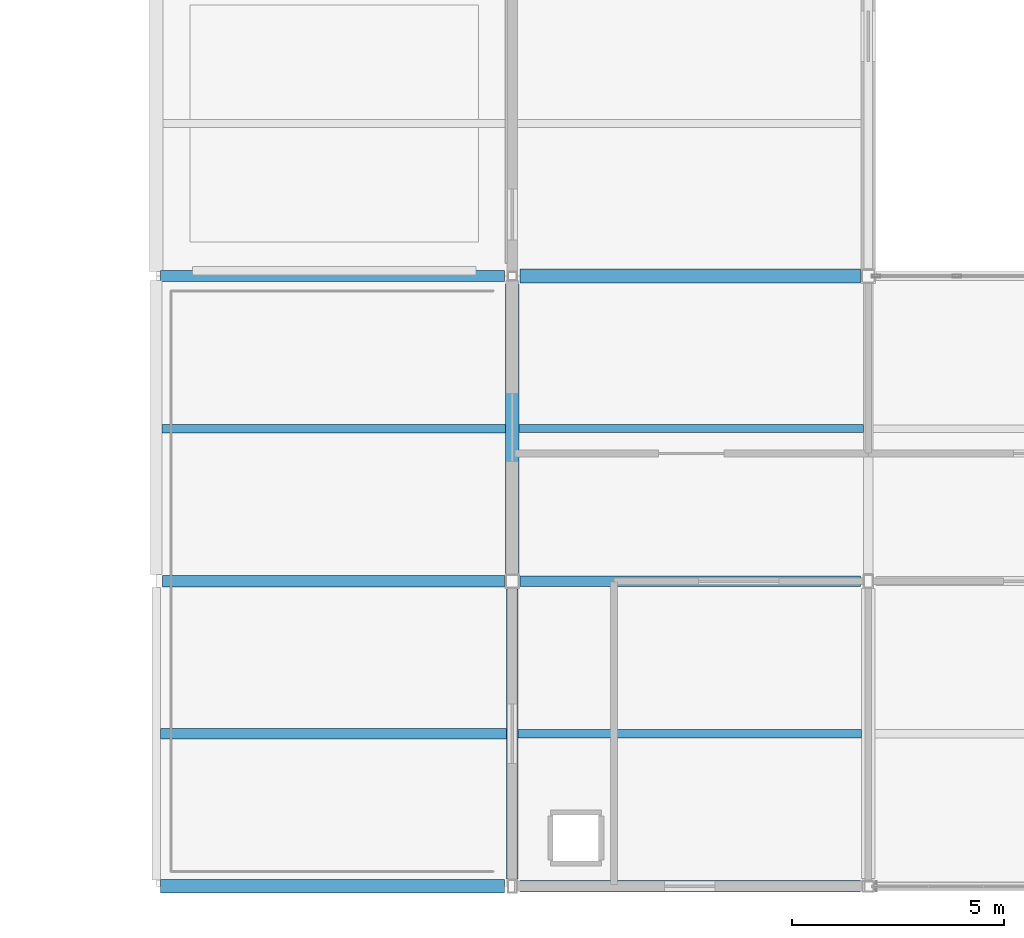
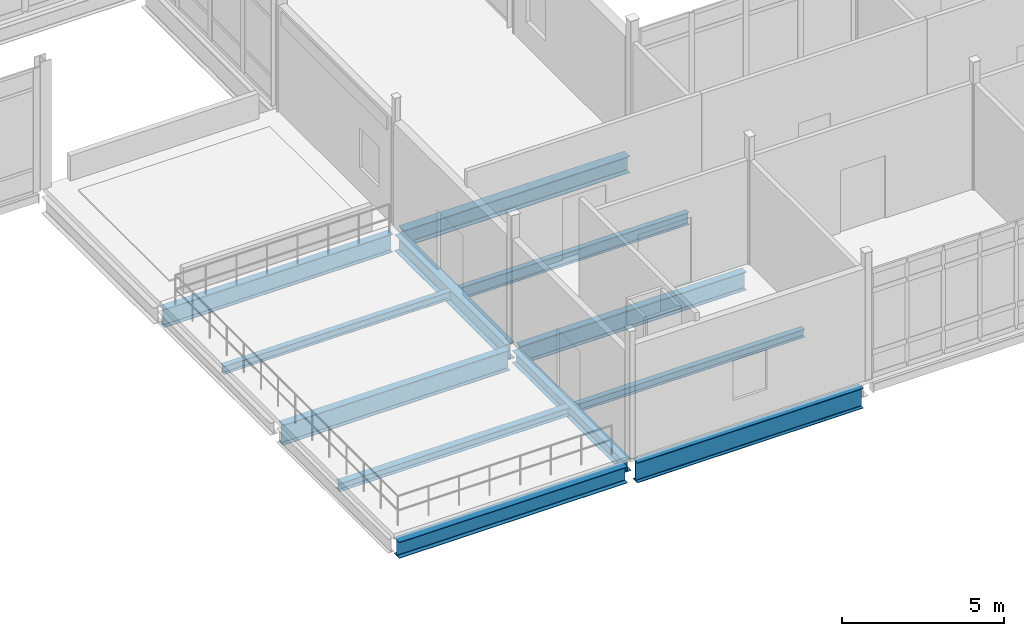
# One storey, part 45 of 186: 12 beams.
"""IFC4 building model written with IfcOpenShell, lengths in metres."""

from ifc_helpers import new_model, si_unit, direction, frame, origin, origin_2d, place, context, subcontext, project, spatial, i_section, extrude, material, material_profile, profile_set, type_object, element, save


model = new_model("IFC4")

# Units and contexts
model_context = context("Model", 3, precision=1e-05, world=origin(), true_north=direction((0.0, 1.0)))
body_context = subcontext(model_context, "Body", "Model", "MODEL_VIEW")
ifc_project = project(units=[si_unit("LENGTHUNIT", "METRE"), si_unit("AREAUNIT", "SQUARE_METRE"), si_unit("VOLUMEUNIT", "CUBIC_METRE"), si_unit("PLANEANGLEUNIT", "RADIAN"), si_unit("MASSUNIT", "GRAM", prefix="KILO")], contexts=[model_context])

# Site, building, storey
site_placement = place(None, origin())
site = spatial("IfcSite", under=ifc_project, at=site_placement, CompositionType="ELEMENT")
building_placement = place(site_placement, origin())
building = spatial("IfcBuilding", under=site, at=building_placement, Name="Calvrana Isthmian Art Gallery", CompositionType="ELEMENT")
storey_placement = place(building_placement, frame((0.0, 0.0, 5.39990234375)))
storey = spatial("IfcBuildingStorey", under=building, at=storey_placement, Name="L01", CompositionType="ELEMENT", Elevation=5.39990234375)

# Beams
ifc_material = material(Name="Steel ASTM A992 Gr 50", Category="steel")
ifc_material_profile_1 = material_profile(ifc_material, i_section(OverallWidth=0.279052734375, OverallDepth=0.4619140625, WebThickness=0.0107421875, FlangeThickness=0.017333984375, FilletRadius=0.02001953125, at=origin_2d()), Name="W18X76")
ifc_profile_set_1 = profile_set([ifc_material_profile_1], Name="Steel ASTM A992 Gr 50")
beam_type_1 = type_object("IfcBeamType", Name="BM-G-W18X76", PredefinedType="BEAM", material=ifc_profile_set_1)
beam_1_placement = place(storey_placement, frame((72.0, 0.177978515625, -0.475830078125), z_axis=(0.0, 1.0, 0.0), x_axis=(-1.0, 0.0, 0.0)))
element("IfcBeam", 1, at=beam_1_placement, inside=storey, type_object=beam_type_1, Name="Girder Y L01 10/A-B", PredefinedType="BEAM", context=body_context, shape_type="SweptSolid", body=[
    extrude(i_section(OverallWidth=0.279052734375, OverallDepth=0.4619140625, WebThickness=0.0107421875, FlangeThickness=0.017333984375, FilletRadius=0.02001953125, at=origin_2d()), origin(), (0.0, 0.0, 1.0), 6.840576171875),
])
ifc_material_profile_2 = material_profile(ifc_material, i_section(OverallWidth=0.324951171875, OverallDepth=0.612060546875, WebThickness=0.0126953125, FlangeThickness=0.01904296875, FilletRadius=0.02197265625, at=origin_2d()), Name="W24X104")
ifc_profile_set_2 = profile_set([ifc_material_profile_2], Name="Steel ASTM A992 Gr 50")
beam_type_2 = type_object("IfcBeamType", Name="BM-G-W24X104", PredefinedType="BEAM", material=ifc_profile_set_2)
beam_2_placement = place(storey_placement, frame((63.70166015625, 0.0, -0.55078125), z_axis=(1.0, 0.0, 0.0), x_axis=(0.0, 1.0, 0.0)))
element("IfcBeam", 2, at=beam_2_placement, inside=storey, type_object=beam_type_2, Name="Girder X L01 09-10/A", PredefinedType="BEAM", context=body_context, shape_type="SweptSolid", body=[
    extrude(i_section(OverallWidth=0.324951171875, OverallDepth=0.612060546875, WebThickness=0.0126953125, FlangeThickness=0.01904296875, FilletRadius=0.02197265625, at=origin_2d()), origin(), (0.0, 0.0, 1.0), 8.1142578125),
])
beam_3_placement = place(storey_placement, frame((72.0, 7.381591796875, -0.55078125), z_axis=(0.0, 1.0, 0.0), x_axis=(-1.0, 0.0, 0.0)))
element("IfcBeam", 3, at=beam_3_placement, inside=storey, type_object=beam_type_2, Name="Girder Y L01 10/B-C", PredefinedType="BEAM", context=body_context, shape_type="SweptSolid", body=[
    extrude(i_section(OverallWidth=0.324951171875, OverallDepth=0.612060546875, WebThickness=0.0126953125, FlangeThickness=0.01904296875, FilletRadius=0.02197265625, at=origin_2d()), origin(), (0.0, 0.0, 1.0), 6.83447265625),
])
ifc_material_profile_3 = material_profile(ifc_material, i_section(OverallWidth=0.327880859375, OverallDepth=0.6220703125, WebThickness=0.015380859375, FlangeThickness=0.0244140625, FilletRadius=0.02197265625, at=origin_2d()), Name="W24X131")
ifc_profile_set_3 = profile_set([ifc_material_profile_3], Name="Steel ASTM A992 Gr 50")
beam_type_3 = type_object("IfcBeamType", Name="BM-G-W24X131", PredefinedType="BEAM", material=ifc_profile_set_3)
beam_4_placement = place(storey_placement, frame((72.1865234375, 14.39990234375, -0.555908203125), z_axis=(1.0, 0.0, 0.0), x_axis=(0.0, 1.0, 0.0)))
element("IfcBeam", 4, at=beam_4_placement, inside=storey, type_object=beam_type_3, Name="Girder X L01 10-11/C", PredefinedType="BEAM", context=body_context, shape_type="SweptSolid", body=[
    extrude(i_section(OverallWidth=0.327880859375, OverallDepth=0.6220703125, WebThickness=0.015380859375, FlangeThickness=0.0244140625, FilletRadius=0.02197265625, at=origin_2d()), origin(), (0.0, 0.0, 1.0), 8.028076171875),
])
ifc_material_profile_4 = material_profile(ifc_material, i_section(OverallWidth=0.257080078125, OverallDepth=0.693115234375, WebThickness=0.014404296875, FlangeThickness=0.023681640625, FilletRadius=0.02392578125, at=origin_2d()), Name="W27X114")
ifc_profile_set_4 = profile_set([ifc_material_profile_4], Name="Steel ASTM A992 Gr 50")
beam_type_4 = type_object("IfcBeamType", Name="BM-G-W27X114", PredefinedType="BEAM", material=ifc_profile_set_4)
beam_5_placement = place(storey_placement, frame((72.185546875, 7.199951171875, -0.59130859375), z_axis=(1.0, 0.0, 0.0), x_axis=(0.0, 1.0, 0.0)))
element("IfcBeam", 5, at=beam_5_placement, inside=storey, type_object=beam_type_4, Name="Girder X L01 10-11/B", PredefinedType="BEAM", context=body_context, shape_type="SweptSolid", body=[
    extrude(i_section(OverallWidth=0.257080078125, OverallDepth=0.693115234375, WebThickness=0.014404296875, FlangeThickness=0.023681640625, FilletRadius=0.02392578125, at=origin_2d()), origin(), (0.0, 0.0, 1.0), 8.030517578125),
])
beam_6_placement = place(storey_placement, frame((63.70166015625, 14.39990234375, -0.59130859375), z_axis=(1.0, 0.0, 0.0), x_axis=(0.0, 1.0, 0.0)))
element("IfcBeam", 6, at=beam_6_placement, inside=storey, type_object=beam_type_4, Name="Girder X L01 09-10/C", PredefinedType="BEAM", context=body_context, shape_type="SweptSolid", body=[
    extrude(i_section(OverallWidth=0.257080078125, OverallDepth=0.693115234375, WebThickness=0.014404296875, FlangeThickness=0.023681640625, FilletRadius=0.02392578125, at=origin_2d()), origin(), (0.0, 0.0, 1.0), 8.11181640625),
])
ifc_material_profile_5 = material_profile(ifc_material, i_section(OverallWidth=0.26708984375, OverallDepth=0.761962890625, WebThickness=0.014404296875, FlangeThickness=0.021484375, FilletRadius=0.02490234375, at=origin_2d()), Name="W30X116")
ifc_profile_set_5 = profile_set([ifc_material_profile_5], Name="Steel ASTM A992 Gr 50")
beam_type_5 = type_object("IfcBeamType", Name="BM-G-W30X116", PredefinedType="BEAM", material=ifc_profile_set_5)
beam_7_placement = place(storey_placement, frame((72.18408203125, 0.0, -0.6259765625), z_axis=(1.0, 0.0, 0.0), x_axis=(0.0, 1.0, 0.0)))
element("IfcBeam", 7, at=beam_7_placement, inside=storey, type_object=beam_type_5, Name="Girder X L01 10-11/A", PredefinedType="BEAM", context=body_context, shape_type="SweptSolid", body=[
    extrude(i_section(OverallWidth=0.26708984375, OverallDepth=0.761962890625, WebThickness=0.014404296875, FlangeThickness=0.021484375, FilletRadius=0.02490234375, at=origin_2d()), origin(), (0.0, 0.0, 1.0), 8.029296875),
])
beam_8_placement = place(storey_placement, frame((63.75244140625, 7.199951171875, -0.6259765625), z_axis=(1.0, 0.0, 0.0), x_axis=(0.0, 1.0, 0.0)))
element("IfcBeam", 8, at=beam_8_placement, inside=storey, type_object=beam_type_5, Name="Girder X L01 09-10/B", PredefinedType="BEAM", context=body_context, shape_type="SweptSolid", body=[
    extrude(i_section(OverallWidth=0.26708984375, OverallDepth=0.761962890625, WebThickness=0.014404296875, FlangeThickness=0.021484375, FilletRadius=0.02490234375, at=origin_2d()), origin(), (0.0, 0.0, 1.0), 8.06201171875),
])
ifc_material_profile_6 = material_profile(ifc_material, i_section(OverallWidth=0.202880859375, OverallDepth=0.302001953125, WebThickness=0.007568359375, FlangeThickness=0.01318359375, FilletRadius=0.01611328125, at=origin_2d()), Name="W12X40")
ifc_profile_set_6 = profile_set([ifc_material_profile_6], Name="Steel ASTM A992 Gr 50")
beam_type_6 = type_object("IfcBeamType", Name="BM-J-W12X40", PredefinedType="JOIST", material=ifc_profile_set_6)
beam_9_placement = place(storey_placement, frame((63.739501953125, 10.800048828125, -0.39599609375), z_axis=(1.0, 0.0, 0.0), x_axis=(0.0, 1.0, 0.0)))
element("IfcBeam", 9, at=beam_9_placement, inside=storey, type_object=beam_type_6, Name="Composite joist L01 bay 08-01", PredefinedType="JOIST", context=body_context, shape_type="SweptSolid", body=[
    extrude(i_section(OverallWidth=0.202880859375, OverallDepth=0.302001953125, WebThickness=0.007568359375, FlangeThickness=0.01318359375, FilletRadius=0.01611328125, at=origin_2d()), origin(), (0.0, 0.0, 1.0), 8.097900390625),
])
beam_10_placement = place(storey_placement, frame((72.139404296875, 3.60009765625, -0.39599609375), z_axis=(1.0, 0.0, 0.0), x_axis=(0.0, 1.0, 0.0)))
element("IfcBeam", 10, at=beam_10_placement, inside=storey, type_object=beam_type_6, Name="Composite joist L01 bay 09-00", PredefinedType="JOIST", context=body_context, shape_type="SweptSolid", body=[
    extrude(i_section(OverallWidth=0.202880859375, OverallDepth=0.302001953125, WebThickness=0.007568359375, FlangeThickness=0.01318359375, FilletRadius=0.01611328125, at=origin_2d()), origin(), (0.0, 0.0, 1.0), 8.09814453125),
])
ifc_material_profile_7 = material_profile(ifc_material, i_section(OverallWidth=0.25390625, OverallDepth=0.306884765625, WebThickness=0.0087890625, FlangeThickness=0.0146484375, FilletRadius=0.01611328125, at=origin_2d()), Name="W12X53")
ifc_profile_set_7 = profile_set([ifc_material_profile_7], Name="Steel ASTM A992 Gr 50")
beam_type_7 = type_object("IfcBeamType", Name="BM-J-W12X53", PredefinedType="JOIST", material=ifc_profile_set_7)
beam_11_placement = place(storey_placement, frame((63.70458984375, 3.60009765625, -0.3984375), z_axis=(1.0, 0.0, 0.0), x_axis=(0.0, 1.0, 0.0)))
element("IfcBeam", 11, at=beam_11_placement, inside=storey, type_object=beam_type_7, Name="Composite joist L01 bay 08-00", PredefinedType="JOIST", context=body_context, shape_type="SweptSolid", body=[
    extrude(i_section(OverallWidth=0.25390625, OverallDepth=0.306884765625, WebThickness=0.0087890625, FlangeThickness=0.0146484375, FilletRadius=0.01611328125, at=origin_2d()), origin(), (0.0, 0.0, 1.0), 8.156005859375),
])
ifc_material_profile_8 = material_profile(ifc_material, i_section(OverallWidth=0.19091796875, OverallDepth=0.45703125, WebThickness=0.009033203125, FlangeThickness=0.014404296875, FilletRadius=0.02001953125, at=origin_2d()), Name="W18X50")
ifc_profile_set_8 = profile_set([ifc_material_profile_8], Name="Steel ASTM A992 Gr 50")
beam_type_8 = type_object("IfcBeamType", Name="BM-J-W18X50", PredefinedType="JOIST", material=ifc_profile_set_8)
beam_12_placement = place(storey_placement, frame((72.16259765625, 10.800048828125, -0.473388671875), z_axis=(1.0, 0.0, 0.0), x_axis=(0.0, 1.0, 0.0)))
element("IfcBeam", 12, at=beam_12_placement, inside=storey, type_object=beam_type_8, Name="Composite joist L01 bay 09-01", PredefinedType="JOIST", context=body_context, shape_type="SweptSolid", body=[
    extrude(i_section(OverallWidth=0.19091796875, OverallDepth=0.45703125, WebThickness=0.009033203125, FlangeThickness=0.014404296875, FilletRadius=0.02001953125, at=origin_2d()), origin(), (0.0, 0.0, 1.0), 8.123291015625),
])

save(model, "model.ifc")
